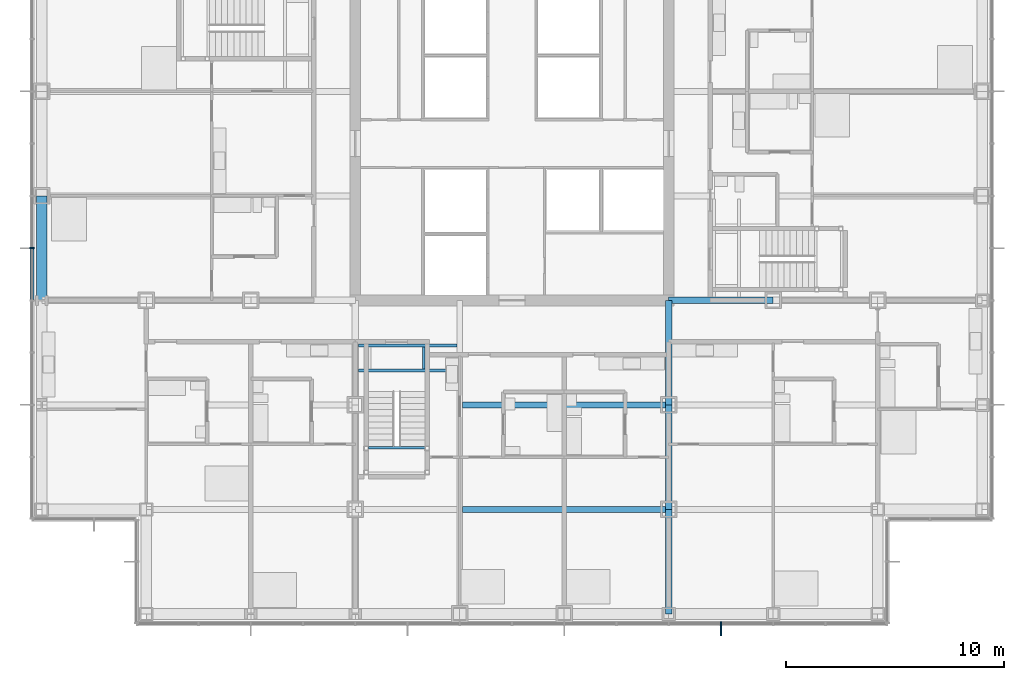
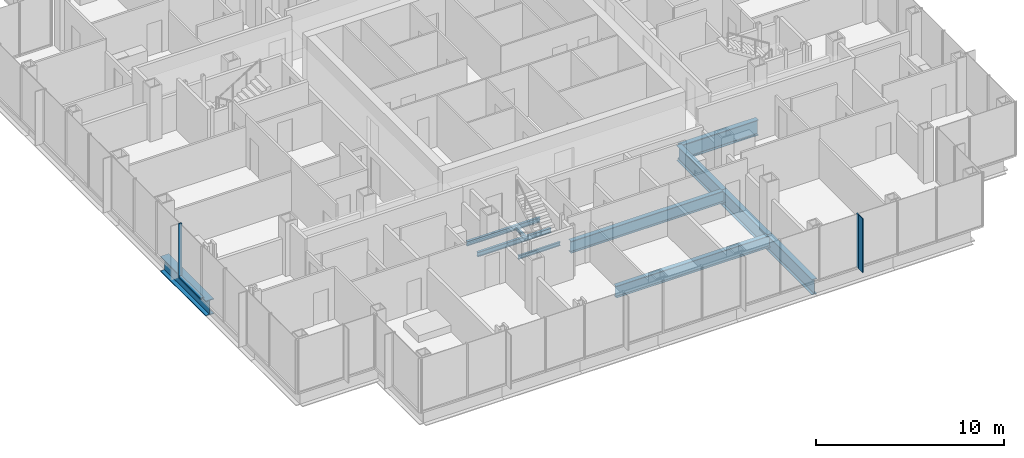
# One storey, part 7 of 21: 11 beams, 4 members, 2 elements without a shape of their own.
"""IFC4 building model written with IfcOpenShell, lengths in metres."""

from ifc_helpers import new_model, si_unit, direction, frame, origin, origin_2d, place, context, subcontext, project, spatial, rectangle, i_section, extrude, material, material_profile, profile_set, type_object, element, aggregate, save


model = new_model("IFC4")

# Units and contexts
model_context = context("Model", 3, precision=1e-05, world=origin(), true_north=direction((0.0, 1.0)))
body_context = subcontext(model_context, "Body", "Model", "MODEL_VIEW")
ifc_project = project(units=[si_unit("LENGTHUNIT", "METRE"), si_unit("AREAUNIT", "SQUARE_METRE"), si_unit("VOLUMEUNIT", "CUBIC_METRE"), si_unit("PLANEANGLEUNIT", "RADIAN"), si_unit("MASSUNIT", "GRAM", prefix="KILO")], contexts=[model_context])

# Site, building, storey
site_placement = place(None, origin())
site = spatial("IfcSite", under=ifc_project, at=site_placement, CompositionType="ELEMENT")
building_placement = place(site_placement, origin())
building = spatial("IfcBuilding", under=site, at=building_placement, Name="Kvirike Care Tower", CompositionType="ELEMENT")
storey_placement = place(building_placement, frame((0.0, 0.0, 44.5)))
storey = spatial("IfcBuildingStorey", under=building, at=storey_placement, Name="L11", CompositionType="ELEMENT", Elevation=44.5)

# Curtain wall, member
ifc_material_1 = material(Name="Anodised aluminium stick system", Category="aluminium")
curtain_wall_type = type_object("IfcCurtainWallType", Name="CW-A STICK CURTAIN WALL", PredefinedType="NOTDEFINED", material=ifc_material_1)
curtain_wall_1_placement = place(storey_placement, origin())
curtain_wall_1 = element("IfcCurtainWall", 1, at=curtain_wall_1_placement, inside=storey, type_object=curtain_wall_type, Name="Curtain wall L11 face 4", PredefinedType="NOTDEFINED")
ifc_material_2 = material(Name="Bronze anodised aluminium fin", Category="aluminium")
ifc_material_profile_1 = material_profile(ifc_material_2, rectangle(XDim=0.050048828125, YDim=0.449951171875, at=origin_2d()), Name="BRONZE FIN 450")
ifc_profile_set_1 = profile_set([ifc_material_profile_1], Name="Bronze anodised aluminium fin")
member_type_1 = type_object("IfcMemberType", Name="BRONZE FIN 450", PredefinedType="USERDEFINED", material=ifc_profile_set_1)
member_1_placement = place(storey_placement, frame((31.199951171875, 13.625, 0.0), z_axis=(0.0, 0.0, 1.0), x_axis=(1.0, 0.0, 0.0)))
member_1 = element("IfcMember", 2, at=member_1_placement, type_object=member_type_1, Name="Bronze fin L11 face 4.12", ObjectType="FIN", PredefinedType="USERDEFINED", context=body_context, shape_type="SweptSolid", body=[
    extrude(rectangle(XDim=0.050048828125, YDim=0.449951171875, at=origin_2d()), origin(), (0.0, 0.0, 1.0), 3.5),
])

curtain_wall_2_placement = place(storey_placement, origin())
curtain_wall_2 = element("IfcCurtainWall", 3, at=curtain_wall_2_placement, inside=storey, type_object=curtain_wall_type, Name="Curtain wall L11 face 1", PredefinedType="NOTDEFINED")
ifc_material_3 = material(Name="Bronze anodised aluminium mullion", Category="aluminium")
ifc_material_profile_2 = material_profile(ifc_material_3, rectangle(XDim=0.06494140625, YDim=0.199951171875, at=origin_2d()), Name="CW-A MULLION 65x200")
ifc_profile_set_2 = profile_set([ifc_material_profile_2], Name="Bronze anodised aluminium mullion")
member_type_2 = type_object("IfcMemberType", Name="CW-A MULLION 65x200", PredefinedType="MULLION", material=ifc_profile_set_2)
member_2_placement = place(storey_placement, frame((-0.449951171875, 31.199951171875, 0.0), z_axis=(0.0, 0.0, 1.0), x_axis=(0.0, -1.0, 0.0)))
member_2 = element("IfcMember", 4, at=member_2_placement, type_object=member_type_2, Name="CW-A mullion L11 face 1.10", PredefinedType="MULLION", context=body_context, shape_type="SweptSolid", body=[
    extrude(rectangle(XDim=0.06494140625, YDim=0.199951171875, at=origin_2d()), origin(), (0.0, 0.0, 1.0), 3.5),
])

# Member
member_3_placement = place(storey_placement, frame((31.199951171875, 13.949951171875, 0.0), z_axis=(0.0, 0.0, 1.0), x_axis=(1.0, 0.0, 0.0)))
member_3 = element("IfcMember", 5, at=member_3_placement, type_object=member_type_2, Name="CW-A mullion L11 face 4.12", PredefinedType="MULLION", context=body_context, shape_type="SweptSolid", body=[
    extrude(rectangle(XDim=0.06494140625, YDim=0.199951171875, at=origin_2d()), origin(), (0.0, 0.0, 1.0), 3.5),
])

aggregate(curtain_wall_1, [member_3, member_1])

ifc_material_4 = material(Name="Bronze anodised aluminium transom", Category="aluminium")
ifc_material_profile_3 = material_profile(ifc_material_4, rectangle(XDim=0.199951171875, YDim=0.10009765625, at=origin_2d()), Name="CW-A TRANSOM 200x100")
ifc_profile_set_3 = profile_set([ifc_material_profile_3], Name="Bronze anodised aluminium transom")
member_type_3 = type_object("IfcMemberType", Name="CW-A TRANSOM 200x100", PredefinedType="USERDEFINED", material=ifc_profile_set_3)
member_4_placement = place(storey_placement, frame((-0.449951171875, 31.16748046875, 0.050048828125), z_axis=(0.0, -1.0, 0.0), x_axis=(1.0, 0.0, 0.0)))
member_4 = element("IfcMember", 6, at=member_4_placement, type_object=member_type_3, Name="CW-A sill transom L11 face 1.10", ObjectType="TRANSOM", PredefinedType="USERDEFINED", context=body_context, shape_type="SweptSolid", body=[
    extrude(rectangle(XDim=0.199951171875, YDim=0.10009765625, at=origin_2d()), origin(), (0.0, 0.0, 1.0), 2.3349609375),
])

aggregate(curtain_wall_2, [member_2, member_4])

# Beams
ifc_material_5 = material(Name="Steel S355", Category="steel")
ifc_material_profile_4 = material_profile(ifc_material_5, i_section(OverallWidth=0.26806640625, OverallDepth=0.77001953125, WebThickness=0.015625, FlangeThickness=0.025390625, FilletRadius=0.01708984375, at=origin_2d()), Name="IPE 750x196")
ifc_profile_set_4 = profile_set([ifc_material_profile_4], Name="Steel S355")
beam_type_1 = type_object("IfcBeamType", Name="FLOOR BEAM IPE 750x196", PredefinedType="BEAM", material=ifc_profile_set_4)
for number, where, z_axis, x_axis, name in (
    (7, (19.333984375, 19.199951171875, -0.554931640625), (1.0, 0.0, 0.0), (0.0, 1.0, 0.0), "Floor Beam E7-E9 L11"),
    (8, (19.333984375, 24.0, -0.554931640625), (1.0, 0.0, 0.0), (0.0, 1.0, 0.0), "Floor Beam F7-F9 L11"),
):
    element("IfcBeam", number, at=place(storey_placement, frame(where, z_axis=z_axis, x_axis=x_axis)), inside=storey, type_object=beam_type_1, Name=name, PredefinedType="BEAM", context=body_context, shape_type="SweptSolid", body=[
        extrude(i_section(OverallWidth=0.26806640625, OverallDepth=0.77001953125, WebThickness=0.015625, FlangeThickness=0.025390625, FilletRadius=0.01708984375, at=origin_2d()), origin(), (0.0, 0.0, 1.0), 9.466064453125),
    ])
ifc_material_6 = material(Name="Steel S355", Category="steel")
ifc_material_profile_5 = material_profile(ifc_material_6, i_section(OverallWidth=0.300048828125, OverallDepth=1.0, WebThickness=0.01904296875, FlangeThickness=0.035888671875, FilletRadius=0.030029296875, at=origin_2d()), Name="HE 1000 B")
ifc_profile_set_5 = profile_set([ifc_material_profile_5], Name="Steel S355")
beam_type_2 = type_object("IfcBeamType", Name="FRAME BEAM HE 1000 B", PredefinedType="BEAM", material=ifc_profile_set_5)
for number, where, z_axis, x_axis, name in (
    (9, (28.800048828125, 28.800048828125, -0.669921875), (1.0, 0.0, 0.0), (0.0, 1.0, 0.0), "Frame Beam G9-G10 L11"),
    (10, (28.800048828125, 14.39990234375, -0.669921875), (0.0, 1.0, 0.0), (-1.0, 0.0, 0.0), "Frame Beam D9-E9 L11"),
    (11, (28.800048828125, 19.199951171875, -0.669921875), (0.0, 1.0, 0.0), (-1.0, 0.0, 0.0), "Frame Beam E9-F9 L11"),
    (12, (28.800048828125, 24.0, -0.669921875), (0.0, 1.0, 0.0), (-1.0, 0.0, 0.0), "Frame Beam F9-G9 L11"),
):
    element("IfcBeam", number, at=place(storey_placement, frame(where, z_axis=z_axis, x_axis=x_axis)), inside=storey, type_object=beam_type_2, Name=name, PredefinedType="BEAM", context=body_context, shape_type="SweptSolid", body=[
        extrude(i_section(OverallWidth=0.300048828125, OverallDepth=1.0, WebThickness=0.01904296875, FlangeThickness=0.035888671875, FilletRadius=0.030029296875, at=origin_2d()), origin(), (0.0, 0.0, 1.0), 4.800048828125),
    ])
ifc_material_7 = material(Name="Steel S355", Category="steel")
ifc_material_profile_6 = material_profile(ifc_material_7, i_section(OverallWidth=0.5, OverallDepth=1.0, WebThickness=0.030029296875, FlangeThickness=0.06005859375, at=origin_2d()), Name="PG 1000x500x30x60")
ifc_profile_set_6 = profile_set([ifc_material_profile_6], Name="Steel S355")
beam_type_3 = type_object("IfcBeamType", Name="SPANDREL PG 1000x500x30x60", PredefinedType="SPANDREL", material=ifc_profile_set_6)
beam_1_placement = place(storey_placement, frame((0.0, 28.800048828125, -0.669921875), z_axis=(0.0, 1.0, 0.0), x_axis=(-1.0, 0.0, 0.0)))
element("IfcBeam", 13, at=beam_1_placement, inside=storey, type_object=beam_type_3, Name="Spandrel G3-H3 L11", PredefinedType="SPANDREL", context=body_context, shape_type="SweptSolid", body=[
    extrude(i_section(OverallWidth=0.5, OverallDepth=1.0, WebThickness=0.030029296875, FlangeThickness=0.06005859375, at=origin_2d()), origin(), (0.0, 0.0, 1.0), 4.800048828125),
])
ifc_material_8 = material(Name="Steel S355", Category="steel")
ifc_material_profile_7 = material_profile(ifc_material_8, i_section(OverallWidth=0.1201171875, OverallDepth=0.239990234375, WebThickness=0.006103515625, FlangeThickness=0.009765625, FilletRadius=0.014892578125, at=origin_2d()), Name="IPE 240")
ifc_profile_set_7 = profile_set([ifc_material_profile_7], Name="Steel S355")
beam_type_4 = type_object("IfcBeamType", Name="STAIR LANDING BEAM IPE 240", PredefinedType="BEAM", material=ifc_profile_set_7)
beam_2_placement = place(storey_placement, frame((15.0, 22.0400390625, 1.429931640625), z_axis=(1.0, 0.0, 0.0), x_axis=(0.0, 1.0, 0.0)))
element("IfcBeam", 14, at=beam_2_placement, inside=storey, type_object=beam_type_4, Name="Stair 5 landing beam front L11", PredefinedType="BEAM", context=body_context, shape_type="SweptSolid", body=[
    extrude(i_section(OverallWidth=0.1201171875, OverallDepth=0.239990234375, WebThickness=0.006103515625, FlangeThickness=0.009765625, FilletRadius=0.014892578125, at=origin_2d()), origin(), (0.0, 0.0, 1.0), 2.60009765625),
])
beam_3_placement = place(storey_placement, frame((17.5400390625, 25.64990234375, -0.320068359375), z_axis=(0.0, 1.0, 0.0), x_axis=(-1.0, 0.0, 0.0)))
element("IfcBeam", 15, at=beam_3_placement, inside=storey, type_object=beam_type_4, Name="Stair 5 landing edge beam 2 L11", PredefinedType="BEAM", context=body_context, shape_type="SweptSolid", body=[
    extrude(i_section(OverallWidth=0.1201171875, OverallDepth=0.239990234375, WebThickness=0.006103515625, FlangeThickness=0.009765625, FilletRadius=0.014892578125, at=origin_2d()), origin(), (0.0, 0.0, 1.0), 1.0),
])
ifc_material_9 = material(Name="Steel S355", Category="steel")
ifc_material_profile_8 = material_profile(ifc_material_9, i_section(OverallWidth=0.14990234375, OverallDepth=0.300048828125, WebThickness=0.007080078125, FlangeThickness=0.0107421875, FilletRadius=0.014892578125, at=origin_2d()), Name="IPE 300")
ifc_profile_set_8 = profile_set([ifc_material_profile_8], Name="Steel S355")
beam_type_5 = type_object("IfcBeamType", Name="STAIR TRIMMER IPE 300", PredefinedType="BEAM", material=ifc_profile_set_8)
for number, where, z_axis, x_axis, name in (
    (16, (14.550048828125, 25.574951171875, -0.35009765625), (1.0, 0.0, 0.0), (0.0, 1.0, 0.0), "Stair 5 trimmer 1 L11"),
    (17, (14.550048828125, 26.72509765625, -0.35009765625), (1.0, 0.0, 0.0), (0.0, 1.0, 0.0), "Stair 5 trimmer 2 L11"),
):
    element("IfcBeam", number, at=place(storey_placement, frame(where, z_axis=z_axis, x_axis=x_axis)), inside=storey, type_object=beam_type_5, Name=name, PredefinedType="BEAM", context=body_context, shape_type="SweptSolid", body=[
        extrude(i_section(OverallWidth=0.14990234375, OverallDepth=0.300048828125, WebThickness=0.007080078125, FlangeThickness=0.0107421875, FilletRadius=0.014892578125, at=origin_2d()), origin(), (0.0, 0.0, 1.0), 4.515869140625),
    ])

save(model, "model.ifc")
